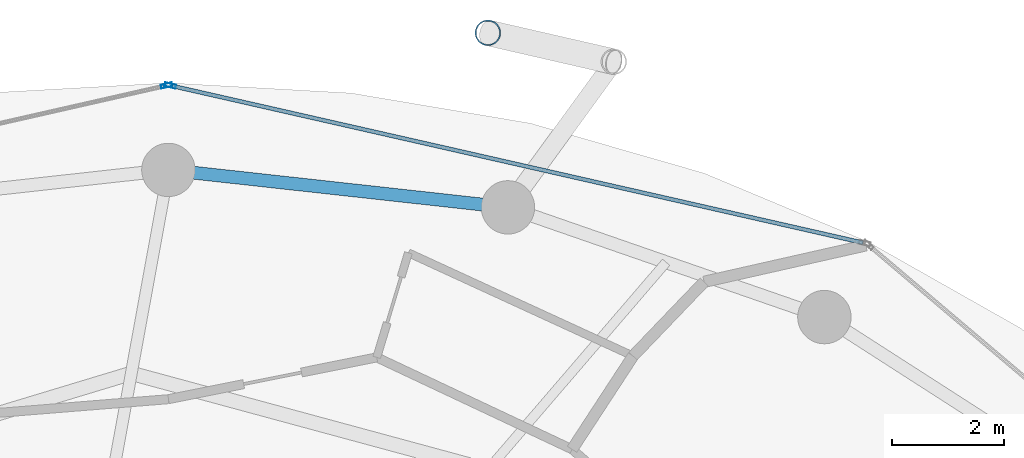
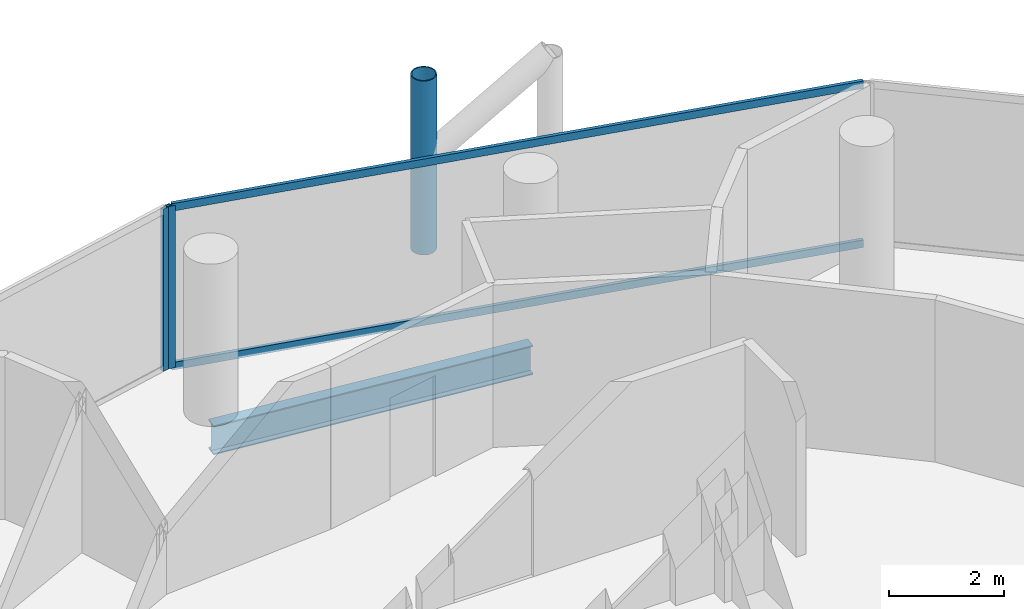
# One storey, part 17 of 26: 5 members, 1 beam, 2 elements without a shape of their own.
"""IFC4 building model written with IfcOpenShell, lengths in metres."""

from ifc_helpers import new_model, si_unit, direction, frame, origin, origin_2d, place, context, subcontext, project, spatial, hollow_rectangle, hollow_circle, i_section, extrude, material, layer, layer_set, material_profile, profile_set, type_object, element, aggregate, save


model = new_model("IFC4")

# Units and contexts
model_context = context("Model", 3, precision=1e-05, world=origin(), true_north=direction((0.0, 1.0)))
body_context = subcontext(model_context, "Body", "Model", "MODEL_VIEW")
ifc_project = project(units=[si_unit("LENGTHUNIT", "METRE"), si_unit("AREAUNIT", "SQUARE_METRE"), si_unit("VOLUMEUNIT", "CUBIC_METRE"), si_unit("PLANEANGLEUNIT", "RADIAN"), si_unit("MASSUNIT", "GRAM", prefix="KILO")], contexts=[model_context])

# Site, building, storey
site_placement = place(None, origin())
site = spatial("IfcSite", under=ifc_project, at=site_placement, CompositionType="ELEMENT")
building_placement = place(site_placement, origin())
building = spatial("IfcBuilding", under=site, at=building_placement, Name="Nuhasar Tower", CompositionType="ELEMENT")
storey_placement = place(building_placement, frame((0.0, 0.0, 121.949951171875)))
storey = spatial("IfcBuildingStorey", under=building, at=storey_placement, Name="L28", CompositionType="ELEMENT", Elevation=121.949951171875)

# Beam
ifc_material_1 = material(Name="Steel S355", Category="steel")
ifc_material_profile_1 = material_profile(ifc_material_1, i_section(OverallWidth=0.22998046875, OverallDepth=0.616943359375, WebThickness=0.01318359375, FlangeThickness=0.022216796875, at=origin_2d()), Name="W24X94")
ifc_profile_set_1 = profile_set([ifc_material_profile_1], Name="Steel S355")
beam_type = type_object("IfcBeamType", Name="BM-RING-W24X94", PredefinedType="SPANDREL", material=ifc_profile_set_1)
beam_placement = place(storey_placement, frame((45.04296875, 45.68408203125, -0.557861328125), z_axis=(-0.993981289157, 0.109549974015, 0.0), x_axis=(-0.109549974015, -0.993981289157, 0.0)))
element("IfcBeam", 1, at=beam_placement, inside=storey, type_object=beam_type, Name="L28 Perimeter Ring Spandrel 06", PredefinedType="SPANDREL", context=body_context, shape_type="SweptSolid", body=[
    extrude(i_section(OverallWidth=0.22998046875, OverallDepth=0.616943359375, WebThickness=0.01318359375, FlangeThickness=0.022216796875, at=origin_2d()), origin(), (0.0, 0.0, 1.0), 6.07958984375),
])

# Curtain wall, member
ifc_material_2 = material(Name="Aluminium 6063-T6", Category="aluminium")
ifc_layer = layer(ifc_material_2, 0.199951171875)
ifc_layer_set = layer_set([ifc_layer], Name="Aluminium 6063-T6")
curtain_wall_type = type_object("IfcCurtainWallType", Name="CW-Z2-HTL", PredefinedType="NOTDEFINED", material=ifc_layer_set)
curtain_wall_1_placement = place(storey_placement, origin())
curtain_wall_1 = element("IfcCurtainWall", 2, at=curtain_wall_1_placement, inside=storey, type_object=curtain_wall_type, Name="L28 Unitised Curtain Wall 03", PredefinedType="NOTDEFINED")
ifc_material_profile_2 = material_profile(ifc_material_2, hollow_rectangle(XDim=0.070068359375, YDim=0.199951171875, WallThickness=0.0048828125, at=origin_2d()), Name="CWM-3")
ifc_profile_set_2 = profile_set([ifc_material_profile_2], Name="Aluminium 6063-T6")
member_type_1 = type_object("IfcMemberType", Name="CW-MUL-S3", PredefinedType="MULLION", material=ifc_profile_set_2)
member_1_placement = place(storey_placement, frame((39.0341796875, 47.852294921875, 0.0), z_axis=(0.0, 0.0, 1.0), x_axis=(-0.22139729566, -0.975183694221, 0.0)))
member_1 = element("IfcMember", 3, at=member_1_placement, type_object=member_type_1, Name="CW-Z2 mullion 2", PredefinedType="MULLION", context=body_context, shape_type="SweptSolid", body=[
    extrude(hollow_rectangle(XDim=0.070068359375, YDim=0.199951171875, WallThickness=0.0048828125, at=origin_2d()), origin(), (0.0, 0.0, 1.0), 3.449951171875),
])

curtain_wall_2_placement = place(storey_placement, origin())
curtain_wall_2 = element("IfcCurtainWall", 4, at=curtain_wall_2_placement, inside=storey, type_object=curtain_wall_type, Name="L28 Unitised Curtain Wall 04", PredefinedType="NOTDEFINED")
member_2_placement = place(storey_placement, frame((38.9658203125, 47.852294921875, 0.0), z_axis=(0.0, 0.0, 1.0), x_axis=(0.22139729566, -0.975183694221, 0.0)))
member_2 = element("IfcMember", 5, at=member_2_placement, type_object=member_type_1, Name="CW-Z2 mullion 1", PredefinedType="MULLION", context=body_context, shape_type="SweptSolid", body=[
    extrude(hollow_rectangle(XDim=0.070068359375, YDim=0.199951171875, WallThickness=0.0048828125, at=origin_2d()), origin(), (0.0, 0.0, 1.0), 3.449951171875),
])
aggregate(curtain_wall_2, [member_2])

# Member
ifc_material_profile_3 = material_profile(ifc_material_2, hollow_rectangle(XDim=0.070068359375, YDim=0.159912109375, WallThickness=0.00439453125, at=origin_2d()), Name="CWT-3")
ifc_profile_set_3 = profile_set([ifc_material_profile_3], Name="Aluminium 6063-T6")
member_type_2 = type_object("IfcMemberType", Name="CW-TRN-S3", PredefinedType="USERDEFINED", material=ifc_profile_set_3)
member_3_placement = place(storey_placement, frame((51.36181640625, 45.053466796875, 0.03515625), z_axis=(-0.975183434528, 0.221398439519, 0.0), x_axis=(-0.221398439519, -0.975183434528, 0.0)))
member_3 = element("IfcMember", 6, at=member_3_placement, type_object=member_type_2, Name="CW-Z2 transom 1.1", ObjectType="TRANSOM", PredefinedType="USERDEFINED", context=body_context, shape_type="SweptSolid", body=[
    extrude(hollow_rectangle(XDim=0.070068359375, YDim=0.159912109375, WallThickness=0.00439453125, at=origin_2d()), origin(), (0.0, 0.0, 1.0), 12.606201171875),
])

member_4_placement = place(storey_placement, frame((51.36181640625, 45.053466796875, 3.4150390625), z_axis=(-0.975183434528, 0.221398439519, 0.0), x_axis=(-0.221398439519, -0.975183434528, 0.0)))
member_4 = element("IfcMember", 7, at=member_4_placement, type_object=member_type_2, Name="CW-Z2 transom 1.2", ObjectType="TRANSOM", PredefinedType="USERDEFINED", context=body_context, shape_type="SweptSolid", body=[
    extrude(hollow_rectangle(XDim=0.070068359375, YDim=0.159912109375, WallThickness=0.00439453125, at=origin_2d()), origin(), (0.0, 0.0, 1.0), 12.606201171875),
])

aggregate(curtain_wall_1, [member_1, member_3, member_4])

ifc_material_3 = material(Name="Steel S460", Category="steel")
ifc_material_profile_4 = material_profile(ifc_material_3, hollow_circle(Radius=0.228515625, WallThickness=0.022216796875, at=origin_2d()), Name="HSS457X22.2")
ifc_profile_set_4 = profile_set([ifc_material_profile_4], Name="Steel S460")
member_type_3 = type_object("IfcMemberType", Name="EXO-BRONZE-457", PredefinedType="BRACE", material=ifc_profile_set_4)
member_5_placement = place(storey_placement, frame((44.68603515625, 48.7900390625, 0.0), z_axis=(0.0, 0.0, 1.0), x_axis=(1.0, 0.0, 0.0)))
element("IfcMember", 8, at=member_5_placement, inside=storey, type_object=member_type_3, Name="L28 Exoskeleton Chord Column EC-03B", PredefinedType="BRACE", context=body_context, shape_type="SweptSolid", body=[
    extrude(hollow_circle(Radius=0.228515625, WallThickness=0.022216796875, at=origin_2d()), origin(), (0.0, 0.0, 1.0), 3.699951171875),
])

save(model, "model.ifc")
